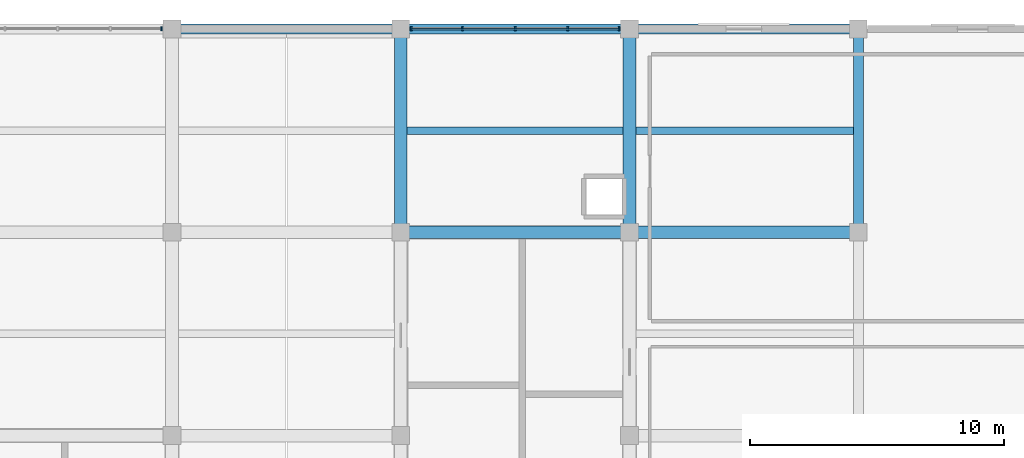
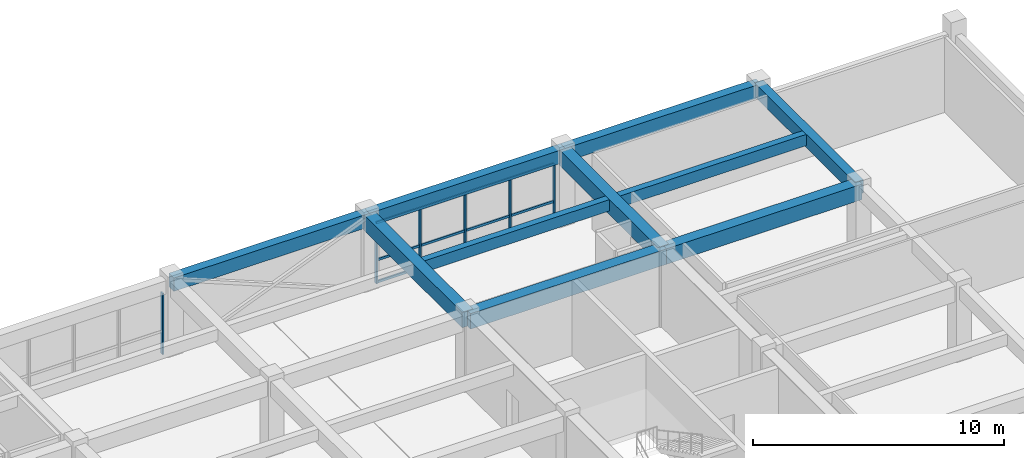
# One storey, part 8 of 13: 10 beams, 9 members, 2 elements without a shape of their own.
"""IFC4 building model written with IfcOpenShell, lengths in metres."""

from ifc_helpers import new_model, si_unit, direction, frame, origin, origin_2d, place, context, subcontext, project, spatial, rectangle, extrude, material, material_profile, profile_set, type_object, element, aggregate, save


model = new_model("IFC4")

# Units and contexts
model_context = context("Model", 3, precision=1e-05, world=origin(), true_north=direction((0.0, 1.0)))
body_context = subcontext(model_context, "Body", "Model", "MODEL_VIEW")
ifc_project = project(units=[si_unit("LENGTHUNIT", "METRE"), si_unit("AREAUNIT", "SQUARE_METRE"), si_unit("VOLUMEUNIT", "CUBIC_METRE"), si_unit("PLANEANGLEUNIT", "RADIAN"), si_unit("MASSUNIT", "GRAM", prefix="KILO")], contexts=[model_context])

# Site, building, storey
site_placement = place(None, origin())
site = spatial("IfcSite", under=ifc_project, at=site_placement, CompositionType="ELEMENT")
building_placement = place(site_placement, origin())
building = spatial("IfcBuilding", under=site, at=building_placement, Name="Zaverband Oceanarium and Marine Research Institute", CompositionType="ELEMENT")
storey_placement = place(building_placement, frame((0.0, 0.0, 64.800048828125)))
storey = spatial("IfcBuildingStorey", under=building, at=storey_placement, Name="L16", CompositionType="ELEMENT", Elevation=64.800048828125)

# Beams
ifc_material_1 = material(Name="Concrete C40/50", Category="concrete")
ifc_material_profile_1 = material_profile(ifc_material_1, rectangle(XDim=0.5, YDim=0.75, at=origin_2d()), Name="RC500x750")
ifc_profile_set_1 = profile_set([ifc_material_profile_1], Name="Concrete C40/50")
beam_type_1 = type_object("IfcBeamType", Name="BM-500x750", PredefinedType="BEAM", material=ifc_profile_set_1)
for number, where, z_axis, x_axis, name in (
    (1, (36.0, 104.0, 3.27490234375), (1.0, 0.0, 0.0), (0.0, 1.0, 0.0), "Primary floor girder BM-500x750"),
    (2, (45.0, 104.0, 3.27490234375), (1.0, 0.0, 0.0), (0.0, 1.0, 0.0), "Primary floor girder BM-500x750"),
):
    element("IfcBeam", number, at=place(storey_placement, frame(where, z_axis=z_axis, x_axis=x_axis)), inside=storey, type_object=beam_type_1, Name=name, PredefinedType="BEAM", context=body_context, shape_type="SweptSolid", body=[
        extrude(rectangle(XDim=0.5, YDim=0.75, at=origin_2d()), origin(), (0.0, 0.0, 1.0), 9.0),
    ])
for number, where, z_axis, x_axis, name in (
    (3, (36.0, 104.0, 3.27490234375), (0.0, 1.0, 0.0), (-1.0, 0.0, 0.0), "Primary floor girder BM-500x750"),
    (4, (45.0, 104.0, 3.27490234375), (0.0, 1.0, 0.0), (-1.0, 0.0, 0.0), "Primary floor girder BM-500x750"),
):
    element("IfcBeam", number, at=place(storey_placement, frame(where, z_axis=z_axis, x_axis=x_axis)), inside=storey, type_object=beam_type_1, Name=name, PredefinedType="BEAM", context=body_context, shape_type="SweptSolid", body=[
        extrude(rectangle(XDim=0.5, YDim=0.75, at=origin_2d()), origin(), (0.0, 0.0, 1.0), 8.0),
    ])
ifc_material_profile_2 = material_profile(ifc_material_1, rectangle(XDim=0.300048828125, YDim=0.550048828125, at=origin_2d()), Name="RC300x550")
ifc_profile_set_2 = profile_set([ifc_material_profile_2], Name="Concrete C40/50")
beam_type_2 = type_object("IfcBeamType", Name="JST-300x550", PredefinedType="JOIST", material=ifc_profile_set_2)
beam_1_placement = place(storey_placement, frame((36.25, 108.0, 3.375), z_axis=(1.0, 0.0, 0.0), x_axis=(0.0, 1.0, 0.0)))
element("IfcBeam", 5, at=beam_1_placement, inside=storey, type_object=beam_type_2, Name="Secondary floor joist JST-300x550", PredefinedType="JOIST", context=body_context, shape_type="SweptSolid", body=[
    extrude(rectangle(XDim=0.300048828125, YDim=0.550048828125, at=origin_2d()), origin(), (0.0, 0.0, 1.0), 8.5),
])
beam_2_placement = place(storey_placement, frame((45.25, 108.0, 3.375), z_axis=(1.0, 0.0, 0.0), x_axis=(0.0, 1.0, 0.0)))
element("IfcBeam", 6, at=beam_2_placement, inside=storey, type_object=beam_type_2, Name="Secondary floor joist JST-300x550", PredefinedType="JOIST", context=body_context, shape_type="SweptSolid", body=[
    extrude(rectangle(XDim=0.300048828125, YDim=0.550048828125, at=origin_2d()), origin(), (0.0, 0.0, 1.0), 8.550048828125),
])

# Curtain wall, member
ifc_material_2 = material(Name="Thermally broken anodized aluminium and solar-control glass", Category="aluminium")
curtain_wall_type = type_object("IfcCurtainWallType", Name="CW-UNIT-1800", PredefinedType="NOTDEFINED", material=ifc_material_2)
curtain_wall_1_placement = place(storey_placement, origin())
curtain_wall_1 = element("IfcCurtainWall", 7, at=curtain_wall_1_placement, inside=storey, type_object=curtain_wall_type, Name="Unitised glazed curtain wall CW-169", PredefinedType="NOTDEFINED")
ifc_material_3 = material(Name="Thermally broken anodized aluminium", Category="aluminium")
ifc_material_profile_3 = material_profile(ifc_material_3, rectangle(XDim=0.070068359375, YDim=0.14990234375, at=origin_2d()), Name="AL-MUL-70x150")
ifc_profile_set_3 = profile_set([ifc_material_profile_3], Name="Thermally broken anodized aluminium")
member_type_1 = type_object("IfcMemberType", Name="MUL-70x150", PredefinedType="MULLION", material=ifc_profile_set_3)
member_1_placement = place(storey_placement, frame((26.5849609375, 112.0, 0.0), z_axis=(0.0, 0.0, 1.0), x_axis=(1.0, 0.0, 0.0)))
member_1 = element("IfcMember", 8, at=member_1_placement, type_object=member_type_1, Name="Curtain wall vertical mullion MUL-70x150", PredefinedType="MULLION", context=body_context, shape_type="SweptSolid", body=[
    extrude(rectangle(XDim=0.070068359375, YDim=0.14990234375, at=origin_2d()), origin(), (0.0, 0.0, 1.0), 2.97998046875),
])
aggregate(curtain_wall_1, [member_1])

# Curtain wall, members
curtain_wall_2_placement = place(storey_placement, origin())
curtain_wall_2 = element("IfcCurtainWall", 9, at=curtain_wall_2_placement, inside=storey, type_object=curtain_wall_type, Name="Unitised glazed curtain wall CW-170", PredefinedType="NOTDEFINED")
member_2_placement = place(storey_placement, frame((36.4150390625, 112.0, 0.0), z_axis=(0.0, 0.0, 1.0), x_axis=(1.0, 0.0, 0.0)))
member_2 = element("IfcMember", 10, at=member_2_placement, type_object=member_type_1, Name="Curtain wall vertical mullion MUL-70x150", PredefinedType="MULLION", context=body_context, shape_type="SweptSolid", body=[
    extrude(rectangle(XDim=0.070068359375, YDim=0.14990234375, at=origin_2d()), origin(), (0.0, 0.0, 1.0), 2.97998046875),
])
member_3_placement = place(storey_placement, frame((38.427490234375, 112.0, 0.0), z_axis=(0.0, 0.0, 1.0), x_axis=(1.0, 0.0, 0.0)))
member_3 = element("IfcMember", 11, at=member_3_placement, type_object=member_type_1, Name="Curtain wall vertical mullion MUL-70x150", PredefinedType="MULLION", context=body_context, shape_type="SweptSolid", body=[
    extrude(rectangle(XDim=0.070068359375, YDim=0.14990234375, at=origin_2d()), origin(), (0.0, 0.0, 1.0), 2.97998046875),
])
member_4_placement = place(storey_placement, frame((40.5, 112.0, 0.0), z_axis=(0.0, 0.0, 1.0), x_axis=(1.0, 0.0, 0.0)))
member_4 = element("IfcMember", 12, at=member_4_placement, type_object=member_type_1, Name="Curtain wall vertical mullion MUL-70x150", PredefinedType="MULLION", context=body_context, shape_type="SweptSolid", body=[
    extrude(rectangle(XDim=0.070068359375, YDim=0.14990234375, at=origin_2d()), origin(), (0.0, 0.0, 1.0), 2.97998046875),
])
member_5_placement = place(storey_placement, frame((42.572509765625, 112.0, 0.0), z_axis=(0.0, 0.0, 1.0), x_axis=(1.0, 0.0, 0.0)))
member_5 = element("IfcMember", 13, at=member_5_placement, type_object=member_type_1, Name="Curtain wall vertical mullion MUL-70x150", PredefinedType="MULLION", context=body_context, shape_type="SweptSolid", body=[
    extrude(rectangle(XDim=0.070068359375, YDim=0.14990234375, at=origin_2d()), origin(), (0.0, 0.0, 1.0), 2.97998046875),
])
member_6_placement = place(storey_placement, frame((44.5849609375, 112.0, 0.0), z_axis=(0.0, 0.0, 1.0), x_axis=(1.0, 0.0, 0.0)))
member_6 = element("IfcMember", 14, at=member_6_placement, type_object=member_type_1, Name="Curtain wall vertical mullion MUL-70x150", PredefinedType="MULLION", context=body_context, shape_type="SweptSolid", body=[
    extrude(rectangle(XDim=0.070068359375, YDim=0.14990234375, at=origin_2d()), origin(), (0.0, 0.0, 1.0), 2.97998046875),
])

# Beams
ifc_material_profile_4 = material_profile(ifc_material_1, rectangle(XDim=0.39990234375, YDim=0.64990234375, at=origin_2d()), Name="RC400x650")
ifc_profile_set_4 = profile_set([ifc_material_profile_4], Name="Concrete C40/50")
beam_type_3 = type_object("IfcBeamType", Name="SPN-400x650", PredefinedType="SPANDREL", material=ifc_profile_set_4)
for number, where, z_axis, x_axis, name in (
    (15, (27.0, 112.0, 3.324951171875), (1.0, 0.0, 0.0), (0.0, 1.0, 0.0), "Perimeter spandrel beam SPN-400x650"),
    (16, (36.0, 112.0, 3.324951171875), (1.0, 0.0, 0.0), (0.0, 1.0, 0.0), "Perimeter spandrel beam SPN-400x650"),
    (17, (45.0, 112.0, 3.324951171875), (1.0, 0.0, 0.0), (0.0, 1.0, 0.0), "Perimeter spandrel beam SPN-400x650"),
):
    element("IfcBeam", number, at=place(storey_placement, frame(where, z_axis=z_axis, x_axis=x_axis)), inside=storey, type_object=beam_type_3, Name=name, PredefinedType="SPANDREL", context=body_context, shape_type="SweptSolid", body=[
        extrude(rectangle(XDim=0.39990234375, YDim=0.64990234375, at=origin_2d()), origin(), (0.0, 0.0, 1.0), 9.0),
    ])
beam_3_placement = place(storey_placement, frame((54.0, 104.0, 3.324951171875), z_axis=(0.0, 1.0, 0.0), x_axis=(-1.0, 0.0, 0.0)))
element("IfcBeam", 18, at=beam_3_placement, inside=storey, type_object=beam_type_3, Name="Perimeter spandrel beam SPN-400x650", PredefinedType="SPANDREL", context=body_context, shape_type="SweptSolid", body=[
    extrude(rectangle(XDim=0.39990234375, YDim=0.64990234375, at=origin_2d()), origin(), (0.0, 0.0, 1.0), 8.0),
])

# Member
ifc_material_profile_5 = material_profile(ifc_material_3, rectangle(XDim=0.070068359375, YDim=0.114990234375, at=origin_2d()), Name="AL-TRN-70x115")
ifc_profile_set_5 = profile_set([ifc_material_profile_5], Name="Thermally broken anodized aluminium")
member_type_2 = type_object("IfcMemberType", Name="TRN-70x115", PredefinedType="USERDEFINED", material=ifc_profile_set_5)
member_7_placement = place(storey_placement, frame((36.4150390625, 112.0, 0.050048828125), z_axis=(1.0, 0.0, 0.0), x_axis=(0.0, 1.0, 0.0)))
member_7 = element("IfcMember", 19, at=member_7_placement, type_object=member_type_2, Name="Curtain wall horizontal transom TRN-70x115", ObjectType="TRANSOM", PredefinedType="USERDEFINED", context=body_context, shape_type="SweptSolid", body=[
    extrude(rectangle(XDim=0.070068359375, YDim=0.114990234375, at=origin_2d()), origin(), (0.0, 0.0, 1.0), 8.169921875),
])

member_8_placement = place(storey_placement, frame((36.4150390625, 112.0, 1.123046875), z_axis=(1.0, 0.0, 0.0), x_axis=(0.0, 1.0, 0.0)))
member_8 = element("IfcMember", 20, at=member_8_placement, type_object=member_type_2, Name="Curtain wall horizontal transom TRN-70x115", ObjectType="TRANSOM", PredefinedType="USERDEFINED", context=body_context, shape_type="SweptSolid", body=[
    extrude(rectangle(XDim=0.070068359375, YDim=0.114990234375, at=origin_2d()), origin(), (0.0, 0.0, 1.0), 8.169921875),
])

member_9_placement = place(storey_placement, frame((36.4150390625, 112.0, 2.929931640625), z_axis=(1.0, 0.0, 0.0), x_axis=(0.0, 1.0, 0.0)))
member_9 = element("IfcMember", 21, at=member_9_placement, type_object=member_type_2, Name="Curtain wall horizontal transom TRN-70x115", ObjectType="TRANSOM", PredefinedType="USERDEFINED", context=body_context, shape_type="SweptSolid", body=[
    extrude(rectangle(XDim=0.070068359375, YDim=0.114990234375, at=origin_2d()), origin(), (0.0, 0.0, 1.0), 8.169921875),
])

aggregate(curtain_wall_2, [member_2, member_3, member_4, member_5, member_6, member_7, member_8, member_9])

save(model, "model.ifc")
